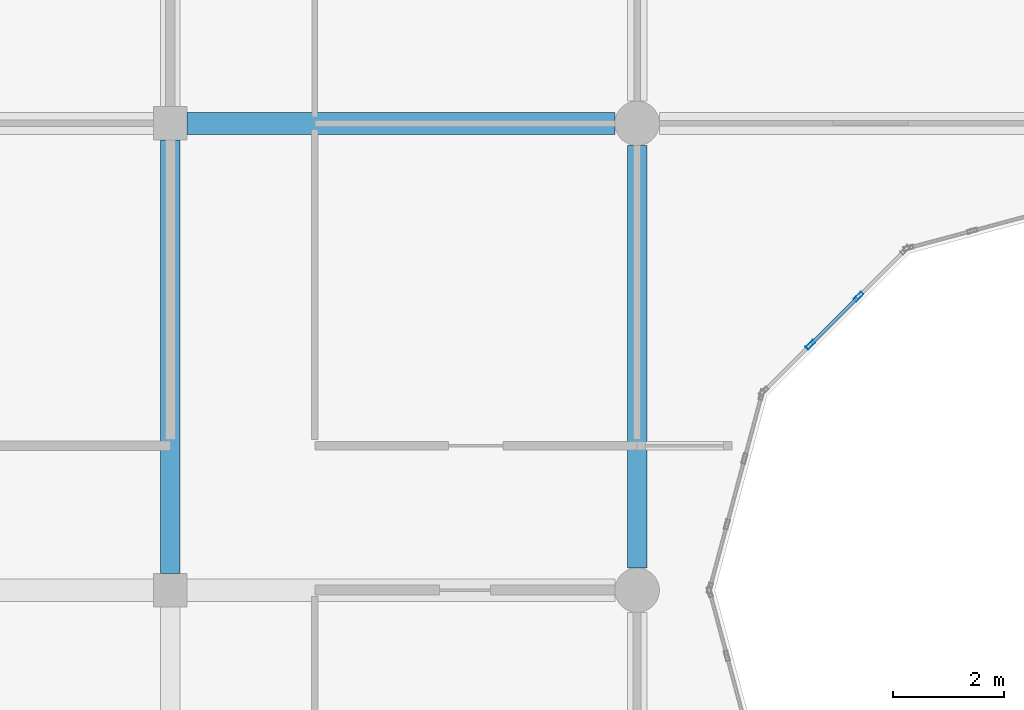
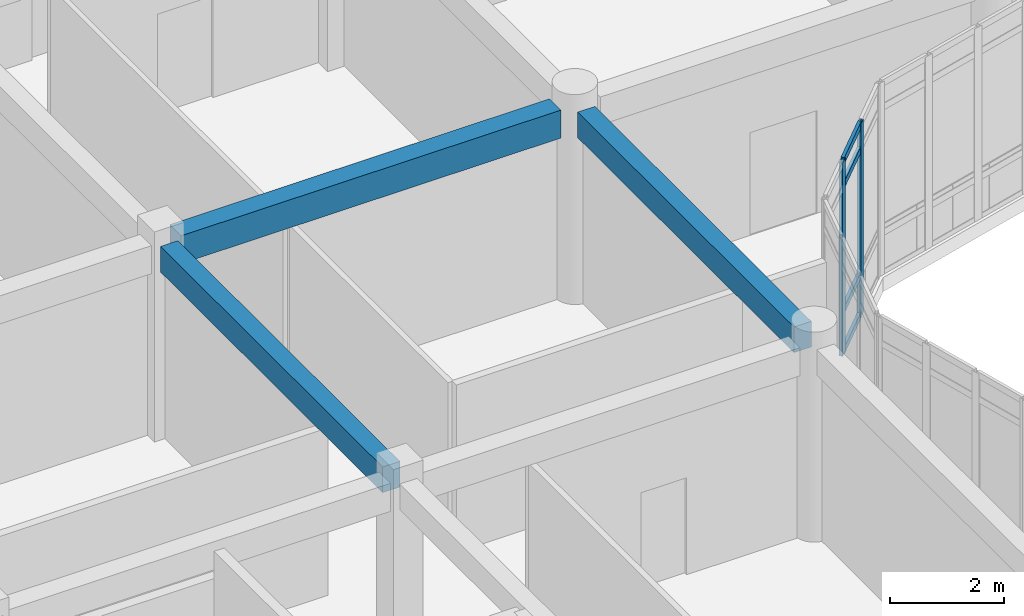
# One storey, part 47 of 144: 6 members, 3 beams, 1 element without a shape of its own.
"""IFC4 building model written with IfcOpenShell, lengths in metres."""

from ifc_helpers import new_model, si_unit, direction, frame, origin, origin_2d, place, context, subcontext, project, spatial, rectangle, hollow_rectangle, extrude, material, layer, layer_set, material_profile, profile_set, type_object, element, aggregate, save


model = new_model("IFC4")

# Units and contexts
model_context = context("Model", 3, precision=1e-05, world=origin(), true_north=direction((0.0, 1.0)))
body_context = subcontext(model_context, "Body", "Model", "MODEL_VIEW")
ifc_project = project(units=[si_unit("LENGTHUNIT", "METRE"), si_unit("AREAUNIT", "SQUARE_METRE"), si_unit("VOLUMEUNIT", "CUBIC_METRE"), si_unit("PLANEANGLEUNIT", "RADIAN"), si_unit("MASSUNIT", "GRAM", prefix="KILO")], contexts=[model_context])

# Site, building, storey
site_placement = place(None, origin())
site = spatial("IfcSite", under=ifc_project, at=site_placement, CompositionType="ELEMENT")
building_placement = place(site_placement, origin())
building = spatial("IfcBuilding", under=site, at=building_placement, Name="Bramfleet General Hospital", CompositionType="ELEMENT")
storey_placement = place(building_placement, frame((0.0, 0.0, 4.800048828125)))
storey = spatial("IfcBuildingStorey", under=building, at=storey_placement, Name="L01", CompositionType="ELEMENT", Elevation=4.800048828125)

# Beams
ifc_material_1 = material(Name="Concrete C35/45", Category="concrete")
ifc_material_profile_1 = material_profile(ifc_material_1, rectangle(XDim=0.35009765625, YDim=0.550048828125, at=origin_2d()), Name="RC BM 550x350")
ifc_profile_set_1 = profile_set([ifc_material_profile_1], Name="Concrete C35/45")
beam_type_1 = type_object("IfcBeamType", Name="BM-RC550", PredefinedType="BEAM", material=ifc_profile_set_1)
beam_1_placement = place(storey_placement, frame((67.199951171875, 75.89990234375, 3.875), z_axis=(0.0, 1.0, 0.0), x_axis=(-1.0, 0.0, 0.0)))
element("IfcBeam", 1, at=beam_1_placement, inside=storey, type_object=beam_type_1, Name="L01 Grid Beam Y 08-09", PredefinedType="BEAM", context=body_context, shape_type="SweptSolid", body=[
    extrude(rectangle(XDim=0.35009765625, YDim=0.550048828125, at=origin_2d()), origin(), (0.0, 0.0, 1.0), 7.800048828125),
])
beam_2_placement = place(storey_placement, frame((75.60009765625, 76.0, 3.875), z_axis=(0.0, 1.0, 0.0), x_axis=(-1.0, 0.0, 0.0)))
element("IfcBeam", 2, at=beam_2_placement, inside=storey, type_object=beam_type_1, Name="L01 Grid Beam Y 09-09", PredefinedType="BEAM", context=body_context, shape_type="SweptSolid", body=[
    extrude(rectangle(XDim=0.35009765625, YDim=0.550048828125, at=origin_2d()), origin(), (0.0, 0.0, 1.0), 7.60009765625),
])
ifc_material_profile_2 = material_profile(ifc_material_1, rectangle(XDim=0.39990234375, YDim=0.60009765625, at=origin_2d()), Name="RC BM 600x400")
ifc_profile_set_2 = profile_set([ifc_material_profile_2], Name="Concrete C35/45")
beam_type_2 = type_object("IfcBeamType", Name="BM-RC600", PredefinedType="BEAM", material=ifc_profile_set_2)
beam_3_placement = place(storey_placement, frame((67.5, 84.0, 3.849853515625), z_axis=(1.0, 0.0, 0.0), x_axis=(0.0, 1.0, 0.0)))
element("IfcBeam", 3, at=beam_3_placement, inside=storey, type_object=beam_type_2, Name="L01 Grid Beam X 08-10", PredefinedType="BEAM", context=body_context, shape_type="SweptSolid", body=[
    extrude(rectangle(XDim=0.39990234375, YDim=0.60009765625, at=origin_2d()), origin(), (0.0, 0.0, 1.0), 7.699951171875),
])

# Curtain wall, members
ifc_material_2 = material(Name="Anodised aluminium and low-E triple glazing", Category="aluminium")
ifc_layer = layer(ifc_material_2, 0.179931640625, Name="CWT-CW-15")
ifc_layer_set = layer_set([ifc_layer], Name="Anodised aluminium and low-E triple glazing")
curtain_wall_type = type_object("IfcCurtainWallType", Name="CWT-CW-15", PredefinedType="USERDEFINED", material=ifc_layer_set)
curtain_wall_placement = place(storey_placement, origin())
curtain_wall = element("IfcCurtainWall", 4, at=curtain_wall_placement, inside=storey, type_object=curtain_wall_type, Name="L01 Central Diagnostic Light Court Curtain Wall 11.1", ObjectType="Stick curtain wall", PredefinedType="USERDEFINED")
ifc_material_3 = material(Name="Anodised aluminium EN AW-6060", Category="aluminium")
ifc_material_profile_3 = material_profile(ifc_material_3, hollow_rectangle(XDim=0.070068359375, YDim=0.179931640625, WallThickness=0.00390625, at=origin_2d()), Name="ALU 180x70x4.0")
ifc_profile_set_3 = profile_set([ifc_material_profile_3], Name="Anodised aluminium EN AW-6060")
member_type_1 = type_object("IfcMemberType", Name="CWM-ALU180", PredefinedType="MULLION", material=ifc_profile_set_3)
member_1_placement = place(storey_placement, frame((79.583740234375, 80.882568359375, 0.0), z_axis=(0.0, 0.0, 1.0), x_axis=(0.707106781187, -0.707106781187, 0.0)))
member_1 = element("IfcMember", 5, at=member_1_placement, type_object=member_type_1, Name="CW-15 mullion 2", PredefinedType="MULLION", context=body_context, shape_type="SweptSolid", body=[
    extrude(hollow_rectangle(XDim=0.070068359375, YDim=0.179931640625, WallThickness=0.00390625, at=origin_2d()), origin(), (0.0, 0.0, 1.0), 4.139892578125),
])
member_2_placement = place(storey_placement, frame((78.71728515625, 80.016357421875, 0.0), z_axis=(0.0, 0.0, 1.0), x_axis=(0.707106781187, -0.707106781187, 0.0)))
member_2 = element("IfcMember", 6, at=member_2_placement, type_object=member_type_1, Name="CW-15 mullion 3", PredefinedType="MULLION", context=body_context, shape_type="SweptSolid", body=[
    extrude(hollow_rectangle(XDim=0.070068359375, YDim=0.179931640625, WallThickness=0.00390625, at=origin_2d()), origin(), (0.0, 0.0, 1.0), 4.139892578125),
])
ifc_material_profile_4 = material_profile(ifc_material_3, hollow_rectangle(XDim=0.06494140625, YDim=0.139892578125, WallThickness=0.00390625, at=origin_2d()), Name="ALU 140x65x4.0")
ifc_profile_set_4 = profile_set([ifc_material_profile_4], Name="Anodised aluminium EN AW-6060")
member_type_2 = type_object("IfcMemberType", Name="CWT-ALU140", PredefinedType="USERDEFINED", material=ifc_profile_set_4)
member_3_placement = place(storey_placement, frame((79.558837890625, 80.85791015625, 0.032470703125), z_axis=(-0.707001093006, -0.707212453572, 0.0), x_axis=(0.707212453572, -0.707001093006, 0.0)))
member_3 = element("IfcMember", 7, at=member_3_placement, type_object=member_type_2, Name="CW-15 transom 2.1", ObjectType="TRANSOM", PredefinedType="USERDEFINED", context=body_context, shape_type="SweptSolid", body=[
    extrude(hollow_rectangle(XDim=0.06494140625, YDim=0.139892578125, WallThickness=0.00390625, at=origin_2d()), origin(), (0.0, 0.0, 1.0), 1.155029296875),
])
member_4_placement = place(storey_placement, frame((79.558837890625, 80.85791015625, 0.89990234375), z_axis=(-0.707001093006, -0.707212453572, 0.0), x_axis=(0.707212453572, -0.707001093006, 0.0)))
member_4 = element("IfcMember", 8, at=member_4_placement, type_object=member_type_2, Name="CW-15 transom 2.2", ObjectType="TRANSOM", PredefinedType="USERDEFINED", context=body_context, shape_type="SweptSolid", body=[
    extrude(hollow_rectangle(XDim=0.06494140625, YDim=0.139892578125, WallThickness=0.00390625, at=origin_2d()), origin(), (0.0, 0.0, 1.0), 1.155029296875),
])
member_5_placement = place(storey_placement, frame((79.558837890625, 80.85791015625, 3.58984375), z_axis=(-0.707001093006, -0.707212453572, 0.0), x_axis=(0.707212453572, -0.707001093006, 0.0)))
member_5 = element("IfcMember", 9, at=member_5_placement, type_object=member_type_2, Name="CW-15 transom 2.3", ObjectType="TRANSOM", PredefinedType="USERDEFINED", context=body_context, shape_type="SweptSolid", body=[
    extrude(hollow_rectangle(XDim=0.06494140625, YDim=0.139892578125, WallThickness=0.00390625, at=origin_2d()), origin(), (0.0, 0.0, 1.0), 1.155029296875),
])
member_6_placement = place(storey_placement, frame((79.558837890625, 80.85791015625, 4.107421875), z_axis=(-0.707001093006, -0.707212453572, 0.0), x_axis=(0.707212453572, -0.707001093006, 0.0)))
member_6 = element("IfcMember", 10, at=member_6_placement, type_object=member_type_2, Name="CW-15 transom 2.4", ObjectType="TRANSOM", PredefinedType="USERDEFINED", context=body_context, shape_type="SweptSolid", body=[
    extrude(hollow_rectangle(XDim=0.06494140625, YDim=0.139892578125, WallThickness=0.00390625, at=origin_2d()), origin(), (0.0, 0.0, 1.0), 1.155029296875),
])
aggregate(curtain_wall, [member_1, member_2, member_3, member_4, member_5, member_6])

save(model, "model.ifc")
